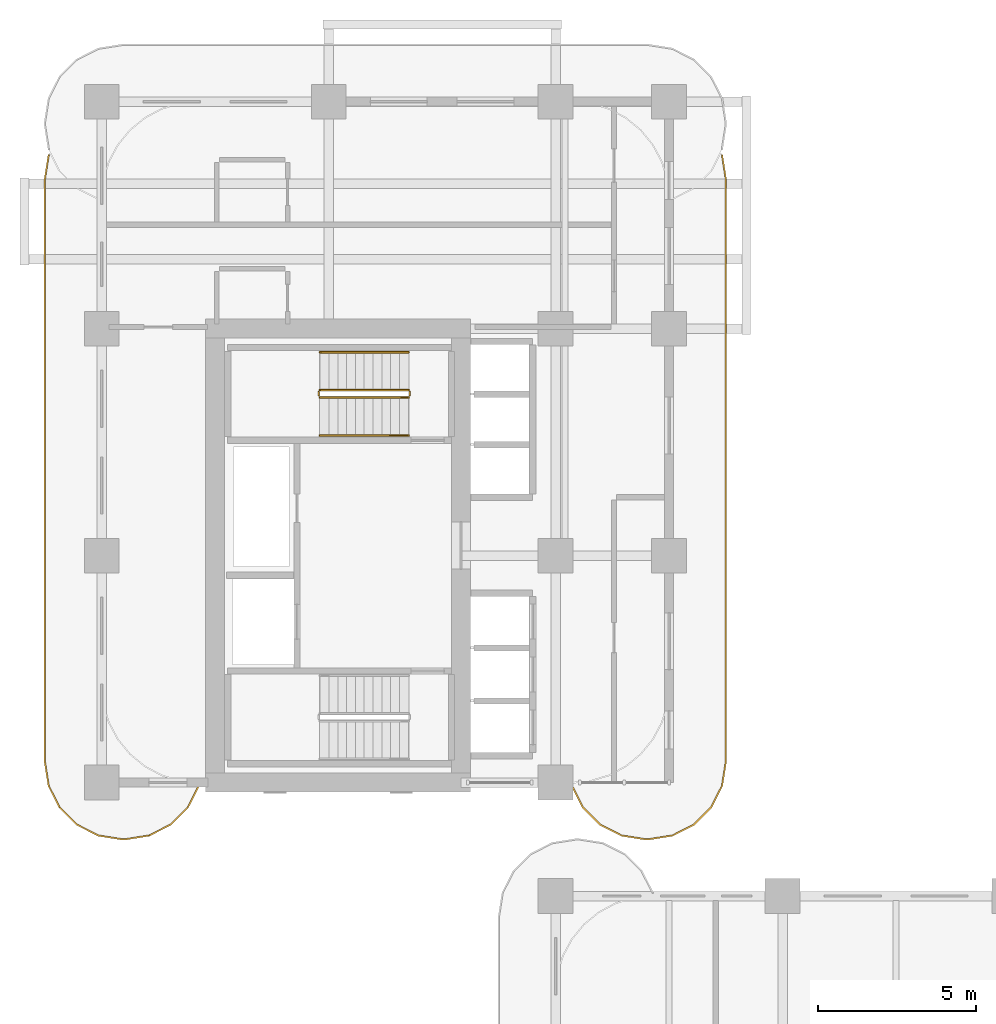
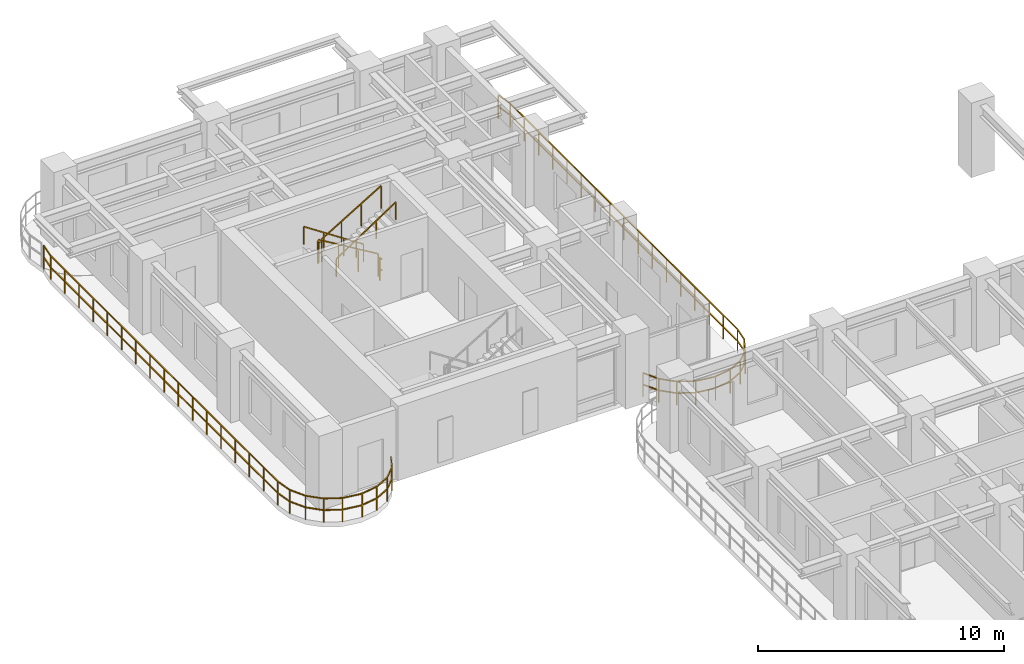
# One storey, part 17 of 18: 8 railings.
"""IFC4 building model written with IfcOpenShell, lengths in metres."""

from ifc_helpers import new_model, si_unit, derived_unit, direction, frame, origin, origin_2d, place, context, subcontext, project, spatial, rectangle, extrude, material, type_object, element, save


model = new_model("IFC4")

# Units and contexts
model_context = context("Model", 3, precision=1e-05, world=origin(), true_north=direction((0.0, 1.0)))
body_context = subcontext(model_context, "Body", "Model", "MODEL_VIEW")
ifc_project = project(units=[si_unit("LENGTHUNIT", "METRE"), si_unit("AREAUNIT", "SQUARE_METRE"), si_unit("VOLUMEUNIT", "CUBIC_METRE"), si_unit("PLANEANGLEUNIT", "RADIAN"), si_unit("MASSUNIT", "GRAM", prefix="KILO"), si_unit("THERMODYNAMICTEMPERATUREUNIT", "KELVIN"), si_unit("POWERUNIT", "WATT"), derived_unit("THERMALTRANSMITTANCEUNIT", [(si_unit("POWERUNIT", "WATT"), 1), (si_unit("AREAUNIT", "SQUARE_METRE"), -1), (si_unit("THERMODYNAMICTEMPERATUREUNIT", "KELVIN"), -1)])], contexts=[model_context])

# Site, building, storey
site_placement = place(None, origin())
site = spatial("IfcSite", under=ifc_project, at=site_placement, CompositionType="ELEMENT")
building_placement = place(site_placement, origin())
building = spatial("IfcBuilding", under=site, at=building_placement, Name="Zahravan Archway Hotel and Residences", CompositionType="ELEMENT")
storey_placement = place(building_placement, frame((0.0, 0.0, 36.10009765625)))
storey = spatial("IfcBuildingStorey", under=building, at=storey_placement, Name="L07", CompositionType="ELEMENT", Elevation=36.10009765625)

# Railings
ifc_material_1 = material(Name="Bronze & Laminated Glass Balustrade", Category="glass")
railing_type_1 = type_object("IfcRailingType", Name="RL-BAL-1200", PredefinedType="BALUSTRADE", material=ifc_material_1)
railing_1_placement = place(storey_placement, frame((3.080078125, 25.093017578125, 0.0)))
element("IfcRailing", 1, at=railing_1_placement, inside=storey, type_object=railing_type_1, Name="L07 Balustrade RL-SLB-BAL-L07-WB-1", PredefinedType="BALUSTRADE", context=body_context, shape_type="SweptSolid", body=[
    extrude(rectangle(XDim=0.048095703125, YDim=0.048095703125, at=origin_2d()), frame((0.0, 0.0, 1.17578125), z_axis=(-0.453825591531, -0.891090529897, 0.0), x_axis=(0.891090529897, -0.453825591531, 0.0)), (0.0, 0.0, 1.0), 0.7666015625),
    extrude(rectangle(XDim=0.048095703125, YDim=0.048095703125, at=origin_2d()), frame((0.0, 0.0, 0.60009765625), z_axis=(-0.453825591531, -0.891090529897, 0.0), x_axis=(0.891090529897, -0.453825591531, 0.0)), (0.0, 0.0, 1.0), 0.7666015625),
    extrude(rectangle(XDim=0.048095703125, YDim=0.048095703125, at=origin_2d()), frame((-0.347900390625, -0.68310546875, 1.17578125), z_axis=(-0.707106781187, -0.707106781187, 0.0), x_axis=(0.707106781187, -0.707106781187, 0.0)), (0.0, 0.0, 1.0), 0.7666015625),
    extrude(rectangle(XDim=0.048095703125, YDim=0.048095703125, at=origin_2d()), frame((-0.347900390625, -0.68310546875, 0.60009765625), z_axis=(-0.707106781187, -0.707106781187, 0.0), x_axis=(0.707106781187, -0.707106781187, 0.0)), (0.0, 0.0, 1.0), 0.7666015625),
    extrude(rectangle(XDim=0.048095703125, YDim=0.048095703125, at=origin_2d()), frame((-0.889892578125, -1.22509765625, 1.17578125), z_axis=(-0.891090529897, -0.453825591531, 0.0), x_axis=(0.453825591531, -0.891090529897, 0.0)), (0.0, 0.0, 1.0), 0.7666015625),
    extrude(rectangle(XDim=0.048095703125, YDim=0.048095703125, at=origin_2d()), frame((-0.889892578125, -1.22509765625, 0.60009765625), z_axis=(-0.891090529897, -0.453825591531, 0.0), x_axis=(0.453825591531, -0.891090529897, 0.0)), (0.0, 0.0, 1.0), 0.7666015625),
    extrude(rectangle(XDim=0.048095703125, YDim=0.048095703125, at=origin_2d()), frame((-1.572998046875, -1.572998046875, 1.17578125), z_axis=(-0.987646484274, -0.156698507018, 0.0), x_axis=(0.156698507018, -0.987646484274, 0.0)), (0.0, 0.0, 1.0), 0.7666015625),
    extrude(rectangle(XDim=0.048095703125, YDim=0.048095703125, at=origin_2d()), frame((-1.572998046875, -1.572998046875, 0.60009765625), z_axis=(-0.987646484274, -0.156698507018, 0.0), x_axis=(0.156698507018, -0.987646484274, 0.0)), (0.0, 0.0, 1.0), 0.7666015625),
    extrude(rectangle(XDim=0.048095703125, YDim=0.048095703125, at=origin_2d()), frame((-2.330078125, -1.693115234375, 1.17578125), z_axis=(-1.0, 0.0, 0.0), x_axis=(0.0, -1.0, 0.0)), (0.0, 0.0, 1.0), 0.10009765625),
    extrude(rectangle(XDim=0.048095703125, YDim=0.048095703125, at=origin_2d()), frame((-2.330078125, -1.693115234375, 0.60009765625), z_axis=(-1.0, 0.0, 0.0), x_axis=(0.0, -1.0, 0.0)), (0.0, 0.0, 1.0), 0.10009765625),
    extrude(rectangle(XDim=0.048095703125, YDim=0.048095703125, at=origin_2d()), frame((-2.43017578125, -1.693115234375, 1.17578125), z_axis=(-0.987646484274, 0.156698507018, 0.0), x_axis=(-0.156698507018, -0.987646484274, 0.0)), (0.0, 0.0, 1.0), 0.7666015625),
    extrude(rectangle(XDim=0.048095703125, YDim=0.048095703125, at=origin_2d()), frame((-2.43017578125, -1.693115234375, 0.60009765625), z_axis=(-0.987646484274, 0.156698507018, 0.0), x_axis=(-0.156698507018, -0.987646484274, 0.0)), (0.0, 0.0, 1.0), 0.7666015625),
    extrude(rectangle(XDim=0.048095703125, YDim=0.048095703125, at=origin_2d()), frame((-3.187255859375, -1.572998046875, 1.17578125), z_axis=(-0.891024909783, 0.453954414172, 0.0), x_axis=(-0.453954414172, -0.891024909783, 0.0)), (0.0, 0.0, 1.0), 0.766357421875),
    extrude(rectangle(XDim=0.048095703125, YDim=0.048095703125, at=origin_2d()), frame((-3.187255859375, -1.572998046875, 0.60009765625), z_axis=(-0.891024909783, 0.453954414172, 0.0), x_axis=(-0.453954414172, -0.891024909783, 0.0)), (0.0, 0.0, 1.0), 0.766357421875),
    extrude(rectangle(XDim=0.048095703125, YDim=0.048095703125, at=origin_2d()), frame((-3.8701171875, -1.22509765625, 1.17578125), z_axis=(-0.707106781187, 0.707106781187, 0.0), x_axis=(-0.707106781187, -0.707106781187, 0.0)), (0.0, 0.0, 1.0), 0.7666015625),
    extrude(rectangle(XDim=0.048095703125, YDim=0.048095703125, at=origin_2d()), frame((-3.8701171875, -1.22509765625, 0.60009765625), z_axis=(-0.707106781187, 0.707106781187, 0.0), x_axis=(-0.707106781187, -0.707106781187, 0.0)), (0.0, 0.0, 1.0), 0.7666015625),
    extrude(rectangle(XDim=0.048095703125, YDim=0.048095703125, at=origin_2d()), frame((-4.412109375, -0.68310546875, 1.17578125), z_axis=(-0.454078418624, 0.890961721815, 0.0), x_axis=(-0.890961721815, -0.454078418624, 0.0)), (0.0, 0.0, 1.0), 0.7666015625),
    extrude(rectangle(XDim=0.048095703125, YDim=0.048095703125, at=origin_2d()), frame((-4.412109375, -0.68310546875, 0.60009765625), z_axis=(-0.454078418624, 0.890961721815, 0.0), x_axis=(-0.890961721815, -0.454078418624, 0.0)), (0.0, 0.0, 1.0), 0.7666015625),
    extrude(rectangle(XDim=0.048095703125, YDim=0.048095703125, at=origin_2d()), frame((-4.76025390625, 0.0, 1.17578125), z_axis=(-0.156387811283, 0.987695728695, 0.0), x_axis=(-0.987695728695, -0.156387811283, 0.0)), (0.0, 0.0, 1.0), 0.7666015625),
    extrude(rectangle(XDim=0.048095703125, YDim=0.048095703125, at=origin_2d()), frame((-4.76025390625, 0.0, 0.60009765625), z_axis=(-0.156387811283, 0.987695728695, 0.0), x_axis=(-0.987695728695, -0.156387811283, 0.0)), (0.0, 0.0, 1.0), 0.7666015625),
    extrude(rectangle(XDim=0.048095703125, YDim=0.048095703125, at=origin_2d()), frame((-4.880126953125, 0.757080078125, 1.17578125), z_axis=(0.0, 1.0, 0.0), x_axis=(-1.0, 0.0, 0.0)), (0.0, 0.0, 1.0), 18.5),
    extrude(rectangle(XDim=0.048095703125, YDim=0.048095703125, at=origin_2d()), frame((-4.880126953125, 0.757080078125, 0.60009765625), z_axis=(0.0, 1.0, 0.0), x_axis=(-1.0, 0.0, 0.0)), (0.0, 0.0, 1.0), 18.5),
    extrude(rectangle(XDim=0.048095703125, YDim=0.048095703125, at=origin_2d()), frame((-4.880126953125, 19.257080078125, 1.17578125), z_axis=(0.156387811283, 0.987695728695, 0.0), x_axis=(-0.987695728695, 0.156387811283, 0.0)), (0.0, 0.0, 1.0), 0.7666015625),
    extrude(rectangle(XDim=0.048095703125, YDim=0.048095703125, at=origin_2d()), frame((-4.880126953125, 19.257080078125, 0.60009765625), z_axis=(0.156387811283, 0.987695728695, 0.0), x_axis=(-0.987695728695, 0.156387811283, 0.0)), (0.0, 0.0, 1.0), 0.7666015625),
    extrude(rectangle(XDim=0.0419921875, YDim=0.0419921875, at=origin_2d()), origin(), (0.0, 0.0, 1.0), 1.15185546875),
    extrude(rectangle(XDim=0.0419921875, YDim=0.0419921875, at=origin_2d()), frame((-0.347900390625, -0.68310546875, 0.0)), (0.0, 0.0, 1.0), 1.15185546875),
    extrude(rectangle(XDim=0.0419921875, YDim=0.0419921875, at=origin_2d()), frame((-0.889892578125, -1.22509765625, 0.0)), (0.0, 0.0, 1.0), 1.15185546875),
    extrude(rectangle(XDim=0.0419921875, YDim=0.0419921875, at=origin_2d()), frame((-1.572998046875, -1.572998046875, 0.0)), (0.0, 0.0, 1.0), 1.15185546875),
    extrude(rectangle(XDim=0.0419921875, YDim=0.0419921875, at=origin_2d()), frame((-2.330078125, -1.693115234375, 0.0)), (0.0, 0.0, 1.0), 1.15185546875),
    extrude(rectangle(XDim=0.0419921875, YDim=0.0419921875, at=origin_2d()), frame((-3.187255859375, -1.572998046875, 0.0)), (0.0, 0.0, 1.0), 1.15185546875),
    extrude(rectangle(XDim=0.0419921875, YDim=0.0419921875, at=origin_2d()), frame((-3.8701171875, -1.22509765625, 0.0)), (0.0, 0.0, 1.0), 1.15185546875),
    extrude(rectangle(XDim=0.0419921875, YDim=0.0419921875, at=origin_2d()), frame((-4.412109375, -0.68310546875, 0.0)), (0.0, 0.0, 1.0), 1.15185546875),
    extrude(rectangle(XDim=0.0419921875, YDim=0.0419921875, at=origin_2d()), frame((-4.76025390625, 0.0, 0.0)), (0.0, 0.0, 1.0), 1.15185546875),
    extrude(rectangle(XDim=0.0419921875, YDim=0.0419921875, at=origin_2d()), frame((-4.880126953125, 0.757080078125, 0.0)), (0.0, 0.0, 1.0), 1.15185546875),
    extrude(rectangle(XDim=0.0419921875, YDim=0.0419921875, at=origin_2d()), frame((-4.880126953125, 1.913330078125, 0.0)), (0.0, 0.0, 1.0), 1.15185546875),
    extrude(rectangle(XDim=0.0419921875, YDim=0.0419921875, at=origin_2d()), frame((-4.880126953125, 3.069580078125, 0.0)), (0.0, 0.0, 1.0), 1.15185546875),
    extrude(rectangle(XDim=0.0419921875, YDim=0.0419921875, at=origin_2d()), frame((-4.880126953125, 4.225830078125, 0.0)), (0.0, 0.0, 1.0), 1.15185546875),
    extrude(rectangle(XDim=0.0419921875, YDim=0.0419921875, at=origin_2d()), frame((-4.880126953125, 5.382080078125, 0.0)), (0.0, 0.0, 1.0), 1.15185546875),
    extrude(rectangle(XDim=0.0419921875, YDim=0.0419921875, at=origin_2d()), frame((-4.880126953125, 6.538330078125, 0.0)), (0.0, 0.0, 1.0), 1.15185546875),
    extrude(rectangle(XDim=0.0419921875, YDim=0.0419921875, at=origin_2d()), frame((-4.880126953125, 7.694580078125, 0.0)), (0.0, 0.0, 1.0), 1.15185546875),
    extrude(rectangle(XDim=0.0419921875, YDim=0.0419921875, at=origin_2d()), frame((-4.880126953125, 8.850830078125, 0.0)), (0.0, 0.0, 1.0), 1.15185546875),
    extrude(rectangle(XDim=0.0419921875, YDim=0.0419921875, at=origin_2d()), frame((-4.880126953125, 10.007080078125, 0.0)), (0.0, 0.0, 1.0), 1.15185546875),
    extrude(rectangle(XDim=0.0419921875, YDim=0.0419921875, at=origin_2d()), frame((-4.880126953125, 11.163330078125, 0.0)), (0.0, 0.0, 1.0), 1.15185546875),
    extrude(rectangle(XDim=0.0419921875, YDim=0.0419921875, at=origin_2d()), frame((-4.880126953125, 12.319580078125, 0.0)), (0.0, 0.0, 1.0), 1.15185546875),
    extrude(rectangle(XDim=0.0419921875, YDim=0.0419921875, at=origin_2d()), frame((-4.880126953125, 13.475830078125, 0.0)), (0.0, 0.0, 1.0), 1.15185546875),
    extrude(rectangle(XDim=0.0419921875, YDim=0.0419921875, at=origin_2d()), frame((-4.880126953125, 14.632080078125, 0.0)), (0.0, 0.0, 1.0), 1.15185546875),
    extrude(rectangle(XDim=0.0419921875, YDim=0.0419921875, at=origin_2d()), frame((-4.880126953125, 15.788330078125, 0.0)), (0.0, 0.0, 1.0), 1.15185546875),
    extrude(rectangle(XDim=0.0419921875, YDim=0.0419921875, at=origin_2d()), frame((-4.880126953125, 16.944580078125, 0.0)), (0.0, 0.0, 1.0), 1.15185546875),
    extrude(rectangle(XDim=0.0419921875, YDim=0.0419921875, at=origin_2d()), frame((-4.880126953125, 18.100830078125, 0.0)), (0.0, 0.0, 1.0), 1.15185546875),
    extrude(rectangle(XDim=0.0419921875, YDim=0.0419921875, at=origin_2d()), frame((-4.880126953125, 19.257080078125, 0.0)), (0.0, 0.0, 1.0), 1.15185546875),
    extrude(rectangle(XDim=0.0419921875, YDim=0.0419921875, at=origin_2d()), frame((-4.76025390625, 20.01416015625, 0.0)), (0.0, 0.0, 1.0), 1.15185546875),
])
railing_2_placement = place(storey_placement, frame((19.68017578125, 45.107177734375, 0.0)))
element("IfcRailing", 2, at=railing_2_placement, inside=storey, type_object=railing_type_1, Name="L07 Balustrade RL-SLB-BAL-L07-EB-1", PredefinedType="BALUSTRADE", context=body_context, shape_type="SweptSolid", body=[
    extrude(rectangle(XDim=0.048095703125, YDim=0.048095703125, at=origin_2d()), frame((0.0, 0.0, 1.17578125), z_axis=(0.156387811283, -0.987695728695, 0.0), x_axis=(0.987695728695, 0.156387811283, 0.0)), (0.0, 0.0, 1.0), 0.7666015625),
    extrude(rectangle(XDim=0.048095703125, YDim=0.048095703125, at=origin_2d()), frame((0.0, 0.0, 0.60009765625), z_axis=(0.156387811283, -0.987695728695, 0.0), x_axis=(0.987695728695, 0.156387811283, 0.0)), (0.0, 0.0, 1.0), 0.7666015625),
    extrude(rectangle(XDim=0.048095703125, YDim=0.048095703125, at=origin_2d()), frame((0.119873046875, -0.757080078125, 1.17578125), z_axis=(0.0, -1.0, 0.0), x_axis=(1.0, 0.0, 0.0)), (0.0, 0.0, 1.0), 18.5),
    extrude(rectangle(XDim=0.048095703125, YDim=0.048095703125, at=origin_2d()), frame((0.119873046875, -0.757080078125, 0.60009765625), z_axis=(0.0, -1.0, 0.0), x_axis=(1.0, 0.0, 0.0)), (0.0, 0.0, 1.0), 18.5),
    extrude(rectangle(XDim=0.048095703125, YDim=0.048095703125, at=origin_2d()), frame((0.119873046875, -19.257080078125, 1.17578125), z_axis=(-0.156387811283, -0.987695728695, 0.0), x_axis=(0.987695728695, -0.156387811283, 0.0)), (0.0, 0.0, 1.0), 0.7666015625),
    extrude(rectangle(XDim=0.048095703125, YDim=0.048095703125, at=origin_2d()), frame((0.119873046875, -19.257080078125, 0.60009765625), z_axis=(-0.156387811283, -0.987695728695, 0.0), x_axis=(0.987695728695, -0.156387811283, 0.0)), (0.0, 0.0, 1.0), 0.7666015625),
    extrude(rectangle(XDim=0.048095703125, YDim=0.048095703125, at=origin_2d()), frame((0.0, -20.01416015625, 1.17578125), z_axis=(-0.454078418624, -0.890961721815, 0.0), x_axis=(0.890961721815, -0.454078418624, 0.0)), (0.0, 0.0, 1.0), 0.7666015625),
    extrude(rectangle(XDim=0.048095703125, YDim=0.048095703125, at=origin_2d()), frame((0.0, -20.01416015625, 0.60009765625), z_axis=(-0.454078418624, -0.890961721815, 0.0), x_axis=(0.890961721815, -0.454078418624, 0.0)), (0.0, 0.0, 1.0), 0.7666015625),
    extrude(rectangle(XDim=0.048095703125, YDim=0.048095703125, at=origin_2d()), frame((-0.34814453125, -20.697265625, 1.17578125), z_axis=(-0.707106781187, -0.707106781187, 0.0), x_axis=(0.707106781187, -0.707106781187, 0.0)), (0.0, 0.0, 1.0), 0.7666015625),
    extrude(rectangle(XDim=0.048095703125, YDim=0.048095703125, at=origin_2d()), frame((-0.34814453125, -20.697265625, 0.60009765625), z_axis=(-0.707106781187, -0.707106781187, 0.0), x_axis=(0.707106781187, -0.707106781187, 0.0)), (0.0, 0.0, 1.0), 0.7666015625),
    extrude(rectangle(XDim=0.048095703125, YDim=0.048095703125, at=origin_2d()), frame((-0.89013671875, -21.2392578125, 1.17578125), z_axis=(-0.891024909783, -0.453954414172, 0.0), x_axis=(0.453954414172, -0.891024909783, 0.0)), (0.0, 0.0, 1.0), 0.766357421875),
    extrude(rectangle(XDim=0.048095703125, YDim=0.048095703125, at=origin_2d()), frame((-0.89013671875, -21.2392578125, 0.60009765625), z_axis=(-0.891024909783, -0.453954414172, 0.0), x_axis=(0.453954414172, -0.891024909783, 0.0)), (0.0, 0.0, 1.0), 0.766357421875),
    extrude(rectangle(XDim=0.048095703125, YDim=0.048095703125, at=origin_2d()), frame((-1.572998046875, -21.587158203125, 1.17578125), z_axis=(-0.987646484274, -0.156698507018, 0.0), x_axis=(0.156698507018, -0.987646484274, 0.0)), (0.0, 0.0, 1.0), 0.7666015625),
    extrude(rectangle(XDim=0.048095703125, YDim=0.048095703125, at=origin_2d()), frame((-1.572998046875, -21.587158203125, 0.60009765625), z_axis=(-0.987646484274, -0.156698507018, 0.0), x_axis=(0.156698507018, -0.987646484274, 0.0)), (0.0, 0.0, 1.0), 0.7666015625),
    extrude(rectangle(XDim=0.048095703125, YDim=0.048095703125, at=origin_2d()), frame((-2.330078125, -21.707275390625, 1.17578125), z_axis=(-1.0, 0.0, 0.0), x_axis=(0.0, -1.0, 0.0)), (0.0, 0.0, 1.0), 0.10009765625),
    extrude(rectangle(XDim=0.048095703125, YDim=0.048095703125, at=origin_2d()), frame((-2.330078125, -21.707275390625, 0.60009765625), z_axis=(-1.0, 0.0, 0.0), x_axis=(0.0, -1.0, 0.0)), (0.0, 0.0, 1.0), 0.10009765625),
    extrude(rectangle(XDim=0.048095703125, YDim=0.048095703125, at=origin_2d()), frame((-2.43017578125, -21.707275390625, 1.17578125), z_axis=(-0.987646484274, 0.156698507018, 0.0), x_axis=(-0.156698507018, -0.987646484274, 0.0)), (0.0, 0.0, 1.0), 0.7666015625),
    extrude(rectangle(XDim=0.048095703125, YDim=0.048095703125, at=origin_2d()), frame((-2.43017578125, -21.707275390625, 0.60009765625), z_axis=(-0.987646484274, 0.156698507018, 0.0), x_axis=(-0.156698507018, -0.987646484274, 0.0)), (0.0, 0.0, 1.0), 0.7666015625),
    extrude(rectangle(XDim=0.048095703125, YDim=0.048095703125, at=origin_2d()), frame((-3.187255859375, -21.587158203125, 1.17578125), z_axis=(-0.891090529897, 0.453825591531, 0.0), x_axis=(-0.453825591531, -0.891090529897, 0.0)), (0.0, 0.0, 1.0), 0.7666015625),
    extrude(rectangle(XDim=0.048095703125, YDim=0.048095703125, at=origin_2d()), frame((-3.187255859375, -21.587158203125, 0.60009765625), z_axis=(-0.891090529897, 0.453825591531, 0.0), x_axis=(-0.453825591531, -0.891090529897, 0.0)), (0.0, 0.0, 1.0), 0.7666015625),
    extrude(rectangle(XDim=0.048095703125, YDim=0.048095703125, at=origin_2d()), frame((-3.870361328125, -21.2392578125, 1.17578125), z_axis=(-0.707106781187, 0.707106781187, 0.0), x_axis=(-0.707106781187, -0.707106781187, 0.0)), (0.0, 0.0, 1.0), 0.7666015625),
    extrude(rectangle(XDim=0.048095703125, YDim=0.048095703125, at=origin_2d()), frame((-3.870361328125, -21.2392578125, 0.60009765625), z_axis=(-0.707106781187, 0.707106781187, 0.0), x_axis=(-0.707106781187, -0.707106781187, 0.0)), (0.0, 0.0, 1.0), 0.7666015625),
    extrude(rectangle(XDim=0.048095703125, YDim=0.048095703125, at=origin_2d()), frame((-4.412353515625, -20.697265625, 1.17578125), z_axis=(-0.453825591531, 0.891090529897, 0.0), x_axis=(-0.891090529897, -0.453825591531, 0.0)), (0.0, 0.0, 1.0), 0.7666015625),
    extrude(rectangle(XDim=0.048095703125, YDim=0.048095703125, at=origin_2d()), frame((-4.412353515625, -20.697265625, 0.60009765625), z_axis=(-0.453825591531, 0.891090529897, 0.0), x_axis=(-0.891090529897, -0.453825591531, 0.0)), (0.0, 0.0, 1.0), 0.7666015625),
    extrude(rectangle(XDim=0.0419921875, YDim=0.0419921875, at=origin_2d()), origin(), (0.0, 0.0, 1.0), 1.15185546875),
    extrude(rectangle(XDim=0.0419921875, YDim=0.0419921875, at=origin_2d()), frame((0.119873046875, -0.757080078125, 0.0)), (0.0, 0.0, 1.0), 1.15185546875),
    extrude(rectangle(XDim=0.0419921875, YDim=0.0419921875, at=origin_2d()), frame((0.119873046875, -1.913330078125, 0.0)), (0.0, 0.0, 1.0), 1.15185546875),
    extrude(rectangle(XDim=0.0419921875, YDim=0.0419921875, at=origin_2d()), frame((0.119873046875, -3.069580078125, 0.0)), (0.0, 0.0, 1.0), 1.15185546875),
    extrude(rectangle(XDim=0.0419921875, YDim=0.0419921875, at=origin_2d()), frame((0.119873046875, -4.225830078125, 0.0)), (0.0, 0.0, 1.0), 1.15185546875),
    extrude(rectangle(XDim=0.0419921875, YDim=0.0419921875, at=origin_2d()), frame((0.119873046875, -5.382080078125, 0.0)), (0.0, 0.0, 1.0), 1.15185546875),
    extrude(rectangle(XDim=0.0419921875, YDim=0.0419921875, at=origin_2d()), frame((0.119873046875, -6.538330078125, 0.0)), (0.0, 0.0, 1.0), 1.15185546875),
    extrude(rectangle(XDim=0.0419921875, YDim=0.0419921875, at=origin_2d()), frame((0.119873046875, -7.694580078125, 0.0)), (0.0, 0.0, 1.0), 1.15185546875),
    extrude(rectangle(XDim=0.0419921875, YDim=0.0419921875, at=origin_2d()), frame((0.119873046875, -8.850830078125, 0.0)), (0.0, 0.0, 1.0), 1.15185546875),
    extrude(rectangle(XDim=0.0419921875, YDim=0.0419921875, at=origin_2d()), frame((0.119873046875, -10.007080078125, 0.0)), (0.0, 0.0, 1.0), 1.15185546875),
    extrude(rectangle(XDim=0.0419921875, YDim=0.0419921875, at=origin_2d()), frame((0.119873046875, -11.163330078125, 0.0)), (0.0, 0.0, 1.0), 1.15185546875),
    extrude(rectangle(XDim=0.0419921875, YDim=0.0419921875, at=origin_2d()), frame((0.119873046875, -12.319580078125, 0.0)), (0.0, 0.0, 1.0), 1.15185546875),
    extrude(rectangle(XDim=0.0419921875, YDim=0.0419921875, at=origin_2d()), frame((0.119873046875, -13.475830078125, 0.0)), (0.0, 0.0, 1.0), 1.15185546875),
    extrude(rectangle(XDim=0.0419921875, YDim=0.0419921875, at=origin_2d()), frame((0.119873046875, -14.632080078125, 0.0)), (0.0, 0.0, 1.0), 1.15185546875),
    extrude(rectangle(XDim=0.0419921875, YDim=0.0419921875, at=origin_2d()), frame((0.119873046875, -15.788330078125, 0.0)), (0.0, 0.0, 1.0), 1.15185546875),
    extrude(rectangle(XDim=0.0419921875, YDim=0.0419921875, at=origin_2d()), frame((0.119873046875, -16.944580078125, 0.0)), (0.0, 0.0, 1.0), 1.15185546875),
    extrude(rectangle(XDim=0.0419921875, YDim=0.0419921875, at=origin_2d()), frame((0.119873046875, -18.100830078125, 0.0)), (0.0, 0.0, 1.0), 1.15185546875),
    extrude(rectangle(XDim=0.0419921875, YDim=0.0419921875, at=origin_2d()), frame((0.119873046875, -19.257080078125, 0.0)), (0.0, 0.0, 1.0), 1.15185546875),
    extrude(rectangle(XDim=0.0419921875, YDim=0.0419921875, at=origin_2d()), frame((0.0, -20.01416015625, 0.0)), (0.0, 0.0, 1.0), 1.15185546875),
    extrude(rectangle(XDim=0.0419921875, YDim=0.0419921875, at=origin_2d()), frame((-0.34814453125, -20.697265625, 0.0)), (0.0, 0.0, 1.0), 1.15185546875),
    extrude(rectangle(XDim=0.0419921875, YDim=0.0419921875, at=origin_2d()), frame((-0.89013671875, -21.2392578125, 0.0)), (0.0, 0.0, 1.0), 1.15185546875),
    extrude(rectangle(XDim=0.0419921875, YDim=0.0419921875, at=origin_2d()), frame((-1.572998046875, -21.587158203125, 0.0)), (0.0, 0.0, 1.0), 1.15185546875),
    extrude(rectangle(XDim=0.0419921875, YDim=0.0419921875, at=origin_2d()), frame((-2.330078125, -21.707275390625, 0.0)), (0.0, 0.0, 1.0), 1.15185546875),
    extrude(rectangle(XDim=0.0419921875, YDim=0.0419921875, at=origin_2d()), frame((-3.187255859375, -21.587158203125, 0.0)), (0.0, 0.0, 1.0), 1.15185546875),
    extrude(rectangle(XDim=0.0419921875, YDim=0.0419921875, at=origin_2d()), frame((-3.870361328125, -21.2392578125, 0.0)), (0.0, 0.0, 1.0), 1.15185546875),
    extrude(rectangle(XDim=0.0419921875, YDim=0.0419921875, at=origin_2d()), frame((-4.412353515625, -20.697265625, 0.0)), (0.0, 0.0, 1.0), 1.15185546875),
    extrude(rectangle(XDim=0.0419921875, YDim=0.0419921875, at=origin_2d()), frame((-4.76025390625, -20.01416015625, 0.0)), (0.0, 0.0, 1.0), 1.15185546875),
])
ifc_material_2 = material(Name="Painted Tubular Steel", Category="steel")
railing_type_2 = type_object("IfcRailingType", Name="RL-STG-1150", PredefinedType="GUARDRAIL", material=ifc_material_2)
railing_3_placement = place(storey_placement, frame((9.72998046875, 37.64990234375, 0.16796875)))
element("IfcRailing", 3, at=railing_3_placement, inside=storey, type_object=railing_type_2, Name="L07 ST-B2 stair guard 1", PredefinedType="GUARDRAIL", context=body_context, shape_type="SweptSolid", body=[
    extrude(rectangle(XDim=0.048095703125, YDim=0.048095703125, at=origin_2d()), frame((0.0, 0.0, 1.1259765625), z_axis=(-0.857242210791, 0.0, 0.514913383045), x_axis=(0.0, -1.0, 0.0)), (0.0, 0.0, 1.0), 3.266357421875),
    extrude(rectangle(XDim=0.0419921875, YDim=0.0419921875, at=origin_2d()), origin(), (0.0, 0.0, 1.0), 1.101806640625),
    extrude(rectangle(XDim=0.0419921875, YDim=0.0419921875, at=origin_2d()), frame((-0.933349609375, 0.0, 0.560546875)), (0.0, 0.0, 1.0), 1.101806640625),
    extrude(rectangle(XDim=0.0419921875, YDim=0.0419921875, at=origin_2d()), frame((-1.86669921875, 0.0, 1.121337890625)), (0.0, 0.0, 1.0), 1.101806640625),
    extrude(rectangle(XDim=0.0419921875, YDim=0.0419921875, at=origin_2d()), frame((-2.800048828125, 0.0, 1.681884765625)), (0.0, 0.0, 1.0), 1.101806640625),
])
railing_4_placement = place(storey_placement, frame((6.8798828125, 37.60009765625, 1.849853515625)))
element("IfcRailing", 4, at=railing_4_placement, inside=storey, type_object=railing_type_2, Name="L07 ST-B2 stair guard 2", PredefinedType="GUARDRAIL", context=body_context, shape_type="SweptSolid", body=[
    extrude(rectangle(XDim=0.048095703125, YDim=0.048095703125, at=origin_2d()), frame((0.0, 0.0, 1.1259765625), z_axis=(0.0, -1.0, 0.0), x_axis=(1.0, 0.0, 0.0)), (0.0, 0.0, 1.0), 0.14013671875),
    extrude(rectangle(XDim=0.048095703125, YDim=0.048095703125, at=origin_2d()), frame((0.0, 0.0, 0.574951171875), z_axis=(0.0, -1.0, 0.0), x_axis=(1.0, 0.0, 0.0)), (0.0, 0.0, 1.0), 0.14013671875),
    extrude(rectangle(XDim=0.0419921875, YDim=0.0419921875, at=origin_2d()), origin(), (0.0, 0.0, 1.0), 1.101806640625),
])
railing_5_placement = place(storey_placement, frame((6.929931640625, 37.409912109375, 2.01806640625)))
element("IfcRailing", 5, at=railing_5_placement, inside=storey, type_object=railing_type_2, Name="L07 ST-B2 stair guard 3", PredefinedType="GUARDRAIL", context=body_context, shape_type="SweptSolid", body=[
    extrude(rectangle(XDim=0.048095703125, YDim=0.048095703125, at=origin_2d()), frame((0.0, 0.0, 1.1259765625), z_axis=(0.857242210791, 0.0, 0.514913383045), x_axis=(0.0, 1.0, 0.0)), (0.0, 0.0, 1.0), 3.266357421875),
    extrude(rectangle(XDim=0.0419921875, YDim=0.0419921875, at=origin_2d()), origin(), (0.0, 0.0, 1.0), 1.101806640625),
    extrude(rectangle(XDim=0.0419921875, YDim=0.0419921875, at=origin_2d()), frame((0.933349609375, 0.0, 0.560546875)), (0.0, 0.0, 1.0), 1.101806640625),
    extrude(rectangle(XDim=0.0419921875, YDim=0.0419921875, at=origin_2d()), frame((1.86669921875, 0.0, 1.121337890625)), (0.0, 0.0, 1.0), 1.101806640625),
    extrude(rectangle(XDim=0.0419921875, YDim=0.0419921875, at=origin_2d()), frame((2.800048828125, 0.0, 1.681884765625)), (0.0, 0.0, 1.0), 1.101806640625),
])
railing_6_placement = place(storey_placement, frame((9.780029296875, 37.60009765625, 0.0)))
element("IfcRailing", 6, at=railing_6_placement, inside=storey, type_object=railing_type_2, Name="L07 ST-B2 stair guard 4", PredefinedType="GUARDRAIL", context=body_context, shape_type="SweptSolid", body=[
    extrude(rectangle(XDim=0.048095703125, YDim=0.048095703125, at=origin_2d()), frame((0.0, 0.0, 1.1259765625), z_axis=(0.0, -1.0, 0.0), x_axis=(1.0, 0.0, 0.0)), (0.0, 0.0, 1.0), 0.14013671875),
    extrude(rectangle(XDim=0.048095703125, YDim=0.048095703125, at=origin_2d()), frame((0.0, 0.0, 0.574951171875), z_axis=(0.0, -1.0, 0.0), x_axis=(1.0, 0.0, 0.0)), (0.0, 0.0, 1.0), 0.14013671875),
    extrude(rectangle(XDim=0.0419921875, YDim=0.0419921875, at=origin_2d()), origin(), (0.0, 0.0, 1.0), 1.101806640625),
])
ifc_material_3 = material(Name="Brushed Stainless Steel", Category="steel")
railing_type_3 = type_object("IfcRailingType", Name="RL-STH-900", PredefinedType="HANDRAIL", material=ifc_material_3)
railing_7_placement = place(storey_placement, frame((9.72998046875, 38.85009765625, 0.16796875)))
element("IfcRailing", 7, at=railing_7_placement, inside=storey, type_object=railing_type_3, Name="L07 ST-B2 stair handrail 1", PredefinedType="HANDRAIL", context=body_context, shape_type="SweptSolid", body=[
    extrude(rectangle(XDim=0.048095703125, YDim=0.048095703125, at=origin_2d()), frame((0.0, 0.0, 0.8759765625), z_axis=(-0.834326358476, 0.0, 0.551270829586), x_axis=(0.0, -1.0, 0.0)), (0.0, 0.0, 1.0), 3.35595703125),
    extrude(rectangle(XDim=0.0419921875, YDim=0.0419921875, at=origin_2d()), origin(), (0.0, 0.0, 1.0), 0.851806640625),
    extrude(rectangle(XDim=0.0419921875, YDim=0.0419921875, at=origin_2d()), frame((-0.933349609375, 0.0, 0.61669921875)), (0.0, 0.0, 1.0), 0.851806640625),
    extrude(rectangle(XDim=0.0419921875, YDim=0.0419921875, at=origin_2d()), frame((-1.86669921875, 0.0, 1.2333984375)), (0.0, 0.0, 1.0), 0.851806640625),
    extrude(rectangle(XDim=0.0419921875, YDim=0.0419921875, at=origin_2d()), frame((-2.800048828125, 0.0, 1.85009765625)), (0.0, 0.0, 1.0), 0.851806640625),
])
railing_8_placement = place(storey_placement, frame((6.929931640625, 36.2099609375, 2.01806640625)))
element("IfcRailing", 8, at=railing_8_placement, inside=storey, type_object=railing_type_3, Name="L07 ST-B2 stair handrail 2", PredefinedType="HANDRAIL", context=body_context, shape_type="SweptSolid", body=[
    extrude(rectangle(XDim=0.048095703125, YDim=0.048095703125, at=origin_2d()), frame((0.0, 0.0, 0.8759765625), z_axis=(0.834326358476, 0.0, 0.551270829586), x_axis=(0.0, 1.0, 0.0)), (0.0, 0.0, 1.0), 3.35595703125),
    extrude(rectangle(XDim=0.0419921875, YDim=0.0419921875, at=origin_2d()), origin(), (0.0, 0.0, 1.0), 0.851806640625),
    extrude(rectangle(XDim=0.0419921875, YDim=0.0419921875, at=origin_2d()), frame((0.933349609375, 0.0, 0.61669921875)), (0.0, 0.0, 1.0), 0.851806640625),
    extrude(rectangle(XDim=0.0419921875, YDim=0.0419921875, at=origin_2d()), frame((1.86669921875, 0.0, 1.2333984375)), (0.0, 0.0, 1.0), 0.851806640625),
    extrude(rectangle(XDim=0.0419921875, YDim=0.0419921875, at=origin_2d()), frame((2.800048828125, 0.0, 1.85009765625)), (0.0, 0.0, 1.0), 0.851806640625),
])

save(model, "model.ifc")
